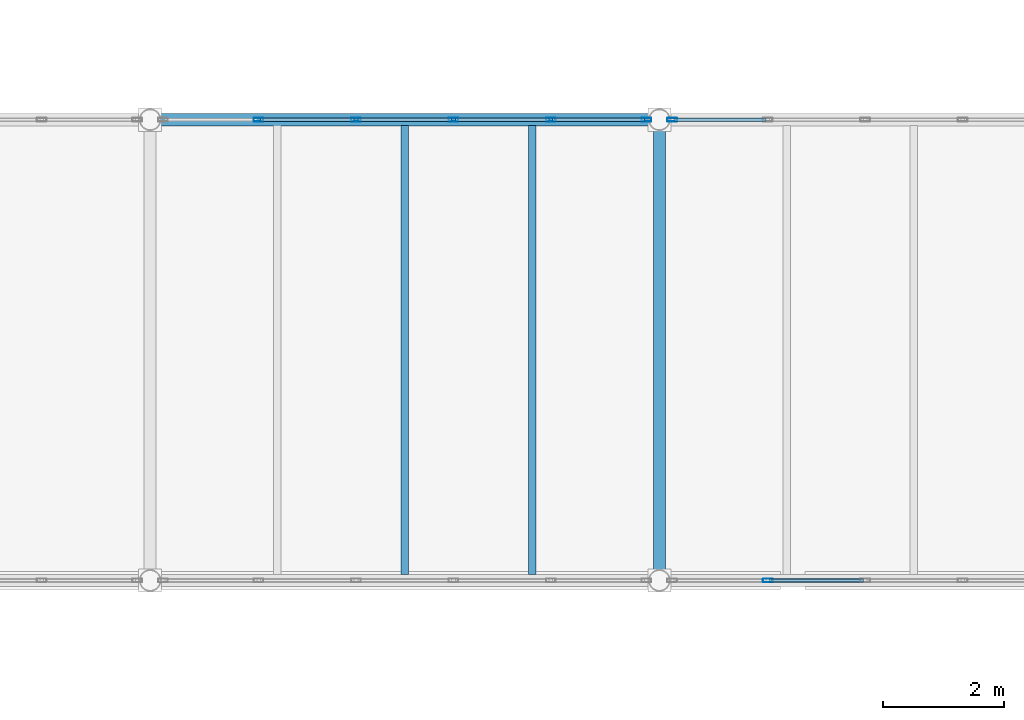
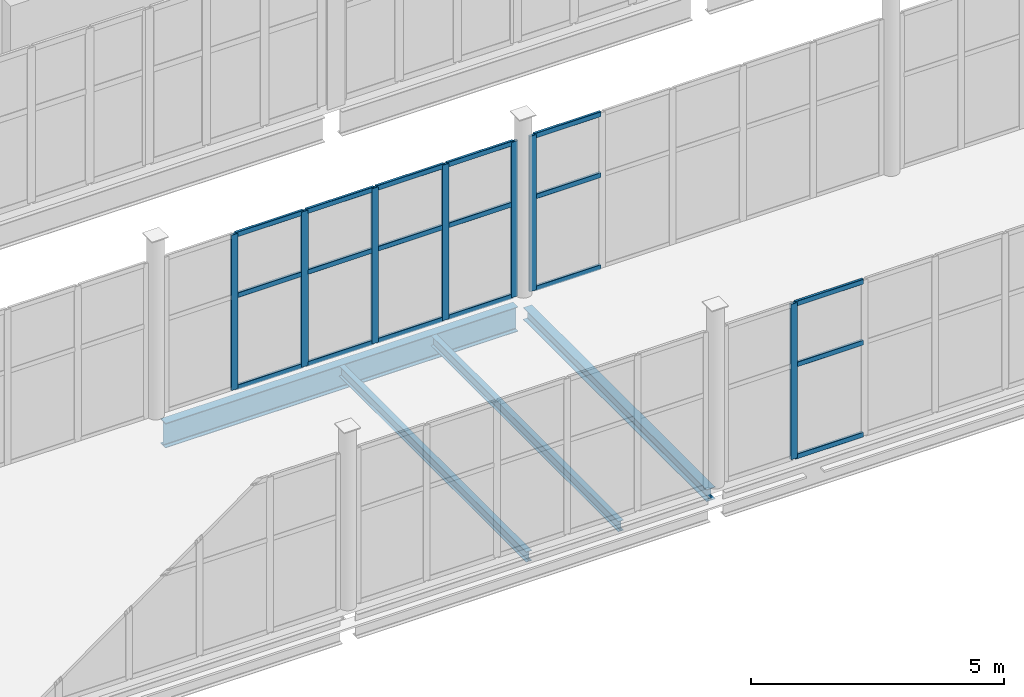
# One storey, part 49 of 172: 25 members, 4 beams, 3 elements without a shape of their own.
"""IFC4 building model written with IfcOpenShell, lengths in metres."""

from ifc_helpers import new_model, si_unit, direction, frame, origin, origin_2d, place, context, subcontext, project, spatial, hollow_rectangle, i_section, extrude, material, material_profile, profile_set, type_object, element, aggregate, save


model = new_model("IFC4")

# Units and contexts
model_context = context("Model", 3, precision=1e-05, world=origin(), true_north=direction((0.0, 1.0)))
body_context = subcontext(model_context, "Body", "Model", "MODEL_VIEW")
ifc_project = project(units=[si_unit("LENGTHUNIT", "METRE"), si_unit("AREAUNIT", "SQUARE_METRE"), si_unit("VOLUMEUNIT", "CUBIC_METRE"), si_unit("PLANEANGLEUNIT", "RADIAN"), si_unit("MASSUNIT", "GRAM", prefix="KILO")], contexts=[model_context])

# Site, building, storey
site_placement = place(None, origin())
site = spatial("IfcSite", under=ifc_project, at=site_placement, CompositionType="ELEMENT")
building_placement = place(site_placement, origin())
building = spatial("IfcBuilding", under=site, at=building_placement, Name="Shengluoqiao Park Theatre", CompositionType="ELEMENT")
storey_placement = place(building_placement, frame((0.0, 0.0, 5.39990234375)))
storey = spatial("IfcBuildingStorey", under=building, at=storey_placement, Name="L01", CompositionType="ELEMENT", Elevation=5.39990234375)

# Curtain wall, member
ifc_material_1 = material(Name="Aluminium 6063-T6", Category="aluminium")
curtain_wall_type = type_object("IfcCurtainWallType", Name="ENV-CW-BRIDGE", PredefinedType="NOTDEFINED", material=ifc_material_1)
curtain_wall_1_placement = place(storey_placement, origin())
curtain_wall_1 = element("IfcCurtainWall", 1, at=curtain_wall_1_placement, inside=storey, type_object=curtain_wall_type, Name="L01 Curtain Wall CWX-L01-0127", PredefinedType="NOTDEFINED")
ifc_material_profile_1 = material_profile(ifc_material_1, hollow_rectangle(XDim=0.06005859375, YDim=0.159912109375, WallThickness=0.00390625, InnerFilletRadius=0.00390625, OuterFilletRadius=0.008056640625, at=origin_2d()), Name="ALU MULLION 160x60x4")
ifc_profile_set_1 = profile_set([ifc_material_profile_1], Name="Aluminium 6063-T6")
member_type_1 = type_object("IfcMemberType", Name="ENV-MUL-160", PredefinedType="MULLION", material=ifc_profile_set_1)
member_1_placement = place(storey_placement, frame((79.789306640625, 53.199951171875, 0.0), z_axis=(0.0, 0.0, 1.0), x_axis=(0.0, 1.0, 0.0)))
member_1 = element("IfcMember", 2, at=member_1_placement, type_object=member_type_1, Name="CW-03 mullion 2", PredefinedType="MULLION", context=body_context, shape_type="SweptSolid", body=[
    extrude(hollow_rectangle(XDim=0.06005859375, YDim=0.159912109375, WallThickness=0.00390625, InnerFilletRadius=0.00390625, OuterFilletRadius=0.008056640625, at=origin_2d()), origin(), (0.0, 0.0, 1.0), 3.752197265625),
])

# Curtain wall, members
curtain_wall_2_placement = place(storey_placement, origin())
curtain_wall_2 = element("IfcCurtainWall", 3, at=curtain_wall_2_placement, inside=storey, type_object=curtain_wall_type, Name="L01 Curtain Wall CWX-L01-0139", PredefinedType="NOTDEFINED")
member_2_placement = place(storey_placement, frame((71.38916015625, 60.800048828125, 0.0), z_axis=(0.0, 0.0, 1.0), x_axis=(0.0, 1.0, 0.0)))
member_2 = element("IfcMember", 4, at=member_2_placement, type_object=member_type_1, Name="CW-03 mullion 2", PredefinedType="MULLION", context=body_context, shape_type="SweptSolid", body=[
    extrude(hollow_rectangle(XDim=0.06005859375, YDim=0.159912109375, WallThickness=0.00390625, InnerFilletRadius=0.00390625, OuterFilletRadius=0.008056640625, at=origin_2d()), origin(), (0.0, 0.0, 1.0), 3.752197265625),
])
member_3_placement = place(storey_placement, frame((72.996337890625, 60.800048828125, 0.0), z_axis=(0.0, 0.0, 1.0), x_axis=(0.0, 1.0, 0.0)))
member_3 = element("IfcMember", 5, at=member_3_placement, type_object=member_type_1, Name="CW-03 mullion 3", PredefinedType="MULLION", context=body_context, shape_type="SweptSolid", body=[
    extrude(hollow_rectangle(XDim=0.06005859375, YDim=0.159912109375, WallThickness=0.00390625, InnerFilletRadius=0.00390625, OuterFilletRadius=0.008056640625, at=origin_2d()), origin(), (0.0, 0.0, 1.0), 3.752197265625),
])
member_4_placement = place(storey_placement, frame((74.603515625, 60.800048828125, 0.0), z_axis=(0.0, 0.0, 1.0), x_axis=(0.0, 1.0, 0.0)))
member_4 = element("IfcMember", 6, at=member_4_placement, type_object=member_type_1, Name="CW-03 mullion 4", PredefinedType="MULLION", context=body_context, shape_type="SweptSolid", body=[
    extrude(hollow_rectangle(XDim=0.06005859375, YDim=0.159912109375, WallThickness=0.00390625, InnerFilletRadius=0.00390625, OuterFilletRadius=0.008056640625, at=origin_2d()), origin(), (0.0, 0.0, 1.0), 3.752197265625),
])
member_5_placement = place(storey_placement, frame((76.210693359375, 60.800048828125, 0.0), z_axis=(0.0, 0.0, 1.0), x_axis=(0.0, 1.0, 0.0)))
member_5 = element("IfcMember", 7, at=member_5_placement, type_object=member_type_1, Name="CW-03 mullion 5", PredefinedType="MULLION", context=body_context, shape_type="SweptSolid", body=[
    extrude(hollow_rectangle(XDim=0.06005859375, YDim=0.159912109375, WallThickness=0.00390625, InnerFilletRadius=0.00390625, OuterFilletRadius=0.008056640625, at=origin_2d()), origin(), (0.0, 0.0, 1.0), 3.752197265625),
])
member_6_placement = place(storey_placement, frame((77.7880859375, 60.800048828125, 0.0), z_axis=(0.0, 0.0, 1.0), x_axis=(0.0, 1.0, 0.0)))
member_6 = element("IfcMember", 8, at=member_6_placement, type_object=member_type_1, Name="CW-03 mullion 6", PredefinedType="MULLION", context=body_context, shape_type="SweptSolid", body=[
    extrude(hollow_rectangle(XDim=0.06005859375, YDim=0.159912109375, WallThickness=0.00390625, InnerFilletRadius=0.00390625, OuterFilletRadius=0.008056640625, at=origin_2d()), origin(), (0.0, 0.0, 1.0), 3.752197265625),
])

# Curtain wall, member
curtain_wall_3_placement = place(storey_placement, origin())
curtain_wall_3 = element("IfcCurtainWall", 9, at=curtain_wall_3_placement, inside=storey, type_object=curtain_wall_type, Name="L01 Curtain Wall CWX-L01-0140", PredefinedType="NOTDEFINED")
member_7_placement = place(storey_placement, frame((78.2119140625, 60.800048828125, 0.0), z_axis=(0.0, 0.0, 1.0), x_axis=(0.0, 1.0, 0.0)))
member_7 = element("IfcMember", 10, at=member_7_placement, type_object=member_type_1, Name="CW-03 mullion 1", PredefinedType="MULLION", context=body_context, shape_type="SweptSolid", body=[
    extrude(hollow_rectangle(XDim=0.06005859375, YDim=0.159912109375, WallThickness=0.00390625, InnerFilletRadius=0.00390625, OuterFilletRadius=0.008056640625, at=origin_2d()), origin(), (0.0, 0.0, 1.0), 3.752197265625),
])

# Member
ifc_material_profile_2 = material_profile(ifc_material_1, hollow_rectangle(XDim=0.06005859375, YDim=0.1201171875, WallThickness=0.00390625, InnerFilletRadius=0.00390625, OuterFilletRadius=0.008056640625, at=origin_2d()), Name="ALU TRANSOM 120x60x4")
ifc_profile_set_2 = profile_set([ifc_material_profile_2], Name="Aluminium 6063-T6")
member_type_2 = type_object("IfcMemberType", Name="ENV-TRN-120", PredefinedType="USERDEFINED", material=ifc_profile_set_2)
member_8_placement = place(storey_placement, frame((79.819091796875, 53.199951171875, 0.030029296875), z_axis=(1.0, 0.0, 0.0), x_axis=(0.0, 1.0, 0.0)))
member_8 = element("IfcMember", 11, at=member_8_placement, type_object=member_type_2, Name="CW-03 transom 2.1", ObjectType="TRANSOM", PredefinedType="USERDEFINED", context=body_context, shape_type="SweptSolid", body=[
    extrude(hollow_rectangle(XDim=0.06005859375, YDim=0.1201171875, WallThickness=0.00390625, InnerFilletRadius=0.00390625, OuterFilletRadius=0.008056640625, at=origin_2d()), origin(), (0.0, 0.0, 1.0), 1.54736328125),
])

member_9_placement = place(storey_placement, frame((79.819091796875, 53.199951171875, 2.2509765625), z_axis=(1.0, 0.0, 0.0), x_axis=(0.0, 1.0, 0.0)))
member_9 = element("IfcMember", 12, at=member_9_placement, type_object=member_type_2, Name="CW-03 transom 2.2", ObjectType="TRANSOM", PredefinedType="USERDEFINED", context=body_context, shape_type="SweptSolid", body=[
    extrude(hollow_rectangle(XDim=0.06005859375, YDim=0.1201171875, WallThickness=0.00390625, InnerFilletRadius=0.00390625, OuterFilletRadius=0.008056640625, at=origin_2d()), origin(), (0.0, 0.0, 1.0), 1.54736328125),
])

member_10_placement = place(storey_placement, frame((79.819091796875, 53.199951171875, 3.72216796875), z_axis=(1.0, 0.0, 0.0), x_axis=(0.0, 1.0, 0.0)))
member_10 = element("IfcMember", 13, at=member_10_placement, type_object=member_type_2, Name="CW-03 transom 2.3", ObjectType="TRANSOM", PredefinedType="USERDEFINED", context=body_context, shape_type="SweptSolid", body=[
    extrude(hollow_rectangle(XDim=0.06005859375, YDim=0.1201171875, WallThickness=0.00390625, InnerFilletRadius=0.00390625, OuterFilletRadius=0.008056640625, at=origin_2d()), origin(), (0.0, 0.0, 1.0), 1.54736328125),
])

aggregate(curtain_wall_1, [member_1, member_8, member_9, member_10])

member_11_placement = place(storey_placement, frame((71.419189453125, 60.800048828125, 0.030029296875), z_axis=(1.0, 0.0, 0.0), x_axis=(0.0, 1.0, 0.0)))
member_11 = element("IfcMember", 14, at=member_11_placement, type_object=member_type_2, Name="CW-03 transom 2.1", ObjectType="TRANSOM", PredefinedType="USERDEFINED", context=body_context, shape_type="SweptSolid", body=[
    extrude(hollow_rectangle(XDim=0.06005859375, YDim=0.1201171875, WallThickness=0.00390625, InnerFilletRadius=0.00390625, OuterFilletRadius=0.008056640625, at=origin_2d()), origin(), (0.0, 0.0, 1.0), 1.547119140625),
])

member_12_placement = place(storey_placement, frame((71.419189453125, 60.800048828125, 2.2509765625), z_axis=(1.0, 0.0, 0.0), x_axis=(0.0, 1.0, 0.0)))
member_12 = element("IfcMember", 15, at=member_12_placement, type_object=member_type_2, Name="CW-03 transom 2.2", ObjectType="TRANSOM", PredefinedType="USERDEFINED", context=body_context, shape_type="SweptSolid", body=[
    extrude(hollow_rectangle(XDim=0.06005859375, YDim=0.1201171875, WallThickness=0.00390625, InnerFilletRadius=0.00390625, OuterFilletRadius=0.008056640625, at=origin_2d()), origin(), (0.0, 0.0, 1.0), 1.547119140625),
])

member_13_placement = place(storey_placement, frame((71.419189453125, 60.800048828125, 3.72216796875), z_axis=(1.0, 0.0, 0.0), x_axis=(0.0, 1.0, 0.0)))
member_13 = element("IfcMember", 16, at=member_13_placement, type_object=member_type_2, Name="CW-03 transom 2.3", ObjectType="TRANSOM", PredefinedType="USERDEFINED", context=body_context, shape_type="SweptSolid", body=[
    extrude(hollow_rectangle(XDim=0.06005859375, YDim=0.1201171875, WallThickness=0.00390625, InnerFilletRadius=0.00390625, OuterFilletRadius=0.008056640625, at=origin_2d()), origin(), (0.0, 0.0, 1.0), 1.547119140625),
])

member_14_placement = place(storey_placement, frame((73.0263671875, 60.800048828125, 0.030029296875), z_axis=(1.0, 0.0, 0.0), x_axis=(0.0, 1.0, 0.0)))
member_14 = element("IfcMember", 17, at=member_14_placement, type_object=member_type_2, Name="CW-03 transom 3.1", ObjectType="TRANSOM", PredefinedType="USERDEFINED", context=body_context, shape_type="SweptSolid", body=[
    extrude(hollow_rectangle(XDim=0.06005859375, YDim=0.1201171875, WallThickness=0.00390625, InnerFilletRadius=0.00390625, OuterFilletRadius=0.008056640625, at=origin_2d()), origin(), (0.0, 0.0, 1.0), 1.547119140625),
])

member_15_placement = place(storey_placement, frame((73.0263671875, 60.800048828125, 2.2509765625), z_axis=(1.0, 0.0, 0.0), x_axis=(0.0, 1.0, 0.0)))
member_15 = element("IfcMember", 18, at=member_15_placement, type_object=member_type_2, Name="CW-03 transom 3.2", ObjectType="TRANSOM", PredefinedType="USERDEFINED", context=body_context, shape_type="SweptSolid", body=[
    extrude(hollow_rectangle(XDim=0.06005859375, YDim=0.1201171875, WallThickness=0.00390625, InnerFilletRadius=0.00390625, OuterFilletRadius=0.008056640625, at=origin_2d()), origin(), (0.0, 0.0, 1.0), 1.547119140625),
])

member_16_placement = place(storey_placement, frame((73.0263671875, 60.800048828125, 3.72216796875), z_axis=(1.0, 0.0, 0.0), x_axis=(0.0, 1.0, 0.0)))
member_16 = element("IfcMember", 19, at=member_16_placement, type_object=member_type_2, Name="CW-03 transom 3.3", ObjectType="TRANSOM", PredefinedType="USERDEFINED", context=body_context, shape_type="SweptSolid", body=[
    extrude(hollow_rectangle(XDim=0.06005859375, YDim=0.1201171875, WallThickness=0.00390625, InnerFilletRadius=0.00390625, OuterFilletRadius=0.008056640625, at=origin_2d()), origin(), (0.0, 0.0, 1.0), 1.547119140625),
])

member_17_placement = place(storey_placement, frame((74.633544921875, 60.800048828125, 0.030029296875), z_axis=(1.0, 0.0, 0.0), x_axis=(0.0, 1.0, 0.0)))
member_17 = element("IfcMember", 20, at=member_17_placement, type_object=member_type_2, Name="CW-03 transom 4.1", ObjectType="TRANSOM", PredefinedType="USERDEFINED", context=body_context, shape_type="SweptSolid", body=[
    extrude(hollow_rectangle(XDim=0.06005859375, YDim=0.1201171875, WallThickness=0.00390625, InnerFilletRadius=0.00390625, OuterFilletRadius=0.008056640625, at=origin_2d()), origin(), (0.0, 0.0, 1.0), 1.54736328125),
])

member_18_placement = place(storey_placement, frame((74.633544921875, 60.800048828125, 2.2509765625), z_axis=(1.0, 0.0, 0.0), x_axis=(0.0, 1.0, 0.0)))
member_18 = element("IfcMember", 21, at=member_18_placement, type_object=member_type_2, Name="CW-03 transom 4.2", ObjectType="TRANSOM", PredefinedType="USERDEFINED", context=body_context, shape_type="SweptSolid", body=[
    extrude(hollow_rectangle(XDim=0.06005859375, YDim=0.1201171875, WallThickness=0.00390625, InnerFilletRadius=0.00390625, OuterFilletRadius=0.008056640625, at=origin_2d()), origin(), (0.0, 0.0, 1.0), 1.54736328125),
])

member_19_placement = place(storey_placement, frame((74.633544921875, 60.800048828125, 3.72216796875), z_axis=(1.0, 0.0, 0.0), x_axis=(0.0, 1.0, 0.0)))
member_19 = element("IfcMember", 22, at=member_19_placement, type_object=member_type_2, Name="CW-03 transom 4.3", ObjectType="TRANSOM", PredefinedType="USERDEFINED", context=body_context, shape_type="SweptSolid", body=[
    extrude(hollow_rectangle(XDim=0.06005859375, YDim=0.1201171875, WallThickness=0.00390625, InnerFilletRadius=0.00390625, OuterFilletRadius=0.008056640625, at=origin_2d()), origin(), (0.0, 0.0, 1.0), 1.54736328125),
])

member_20_placement = place(storey_placement, frame((76.24072265625, 60.800048828125, 0.030029296875), z_axis=(1.0, 0.0, 0.0), x_axis=(0.0, 1.0, 0.0)))
member_20 = element("IfcMember", 23, at=member_20_placement, type_object=member_type_2, Name="CW-03 transom 5.1", ObjectType="TRANSOM", PredefinedType="USERDEFINED", context=body_context, shape_type="SweptSolid", body=[
    extrude(hollow_rectangle(XDim=0.06005859375, YDim=0.1201171875, WallThickness=0.00390625, InnerFilletRadius=0.00390625, OuterFilletRadius=0.008056640625, at=origin_2d()), origin(), (0.0, 0.0, 1.0), 1.517333984375),
])

member_21_placement = place(storey_placement, frame((76.24072265625, 60.800048828125, 2.2509765625), z_axis=(1.0, 0.0, 0.0), x_axis=(0.0, 1.0, 0.0)))
member_21 = element("IfcMember", 24, at=member_21_placement, type_object=member_type_2, Name="CW-03 transom 5.2", ObjectType="TRANSOM", PredefinedType="USERDEFINED", context=body_context, shape_type="SweptSolid", body=[
    extrude(hollow_rectangle(XDim=0.06005859375, YDim=0.1201171875, WallThickness=0.00390625, InnerFilletRadius=0.00390625, OuterFilletRadius=0.008056640625, at=origin_2d()), origin(), (0.0, 0.0, 1.0), 1.517333984375),
])

member_22_placement = place(storey_placement, frame((76.24072265625, 60.800048828125, 3.72216796875), z_axis=(1.0, 0.0, 0.0), x_axis=(0.0, 1.0, 0.0)))
member_22 = element("IfcMember", 25, at=member_22_placement, type_object=member_type_2, Name="CW-03 transom 5.3", ObjectType="TRANSOM", PredefinedType="USERDEFINED", context=body_context, shape_type="SweptSolid", body=[
    extrude(hollow_rectangle(XDim=0.06005859375, YDim=0.1201171875, WallThickness=0.00390625, InnerFilletRadius=0.00390625, OuterFilletRadius=0.008056640625, at=origin_2d()), origin(), (0.0, 0.0, 1.0), 1.517333984375),
])

aggregate(curtain_wall_2, [member_2, member_3, member_4, member_5, member_6, member_11, member_12, member_13, member_14, member_15, member_16, member_17, member_18, member_19, member_20, member_21, member_22])

member_23_placement = place(storey_placement, frame((78.241943359375, 60.800048828125, 0.030029296875), z_axis=(1.0, 0.0, 0.0), x_axis=(0.0, 1.0, 0.0)))
member_23 = element("IfcMember", 26, at=member_23_placement, type_object=member_type_2, Name="CW-03 transom 1.1", ObjectType="TRANSOM", PredefinedType="USERDEFINED", context=body_context, shape_type="SweptSolid", body=[
    extrude(hollow_rectangle(XDim=0.06005859375, YDim=0.1201171875, WallThickness=0.00390625, InnerFilletRadius=0.00390625, OuterFilletRadius=0.008056640625, at=origin_2d()), origin(), (0.0, 0.0, 1.0), 1.517333984375),
])

member_24_placement = place(storey_placement, frame((78.241943359375, 60.800048828125, 2.2509765625), z_axis=(1.0, 0.0, 0.0), x_axis=(0.0, 1.0, 0.0)))
member_24 = element("IfcMember", 27, at=member_24_placement, type_object=member_type_2, Name="CW-03 transom 1.2", ObjectType="TRANSOM", PredefinedType="USERDEFINED", context=body_context, shape_type="SweptSolid", body=[
    extrude(hollow_rectangle(XDim=0.06005859375, YDim=0.1201171875, WallThickness=0.00390625, InnerFilletRadius=0.00390625, OuterFilletRadius=0.008056640625, at=origin_2d()), origin(), (0.0, 0.0, 1.0), 1.517333984375),
])

member_25_placement = place(storey_placement, frame((78.241943359375, 60.800048828125, 3.72216796875), z_axis=(1.0, 0.0, 0.0), x_axis=(0.0, 1.0, 0.0)))
member_25 = element("IfcMember", 28, at=member_25_placement, type_object=member_type_2, Name="CW-03 transom 1.3", ObjectType="TRANSOM", PredefinedType="USERDEFINED", context=body_context, shape_type="SweptSolid", body=[
    extrude(hollow_rectangle(XDim=0.06005859375, YDim=0.1201171875, WallThickness=0.00390625, InnerFilletRadius=0.00390625, OuterFilletRadius=0.008056640625, at=origin_2d()), origin(), (0.0, 0.0, 1.0), 1.517333984375),
])

aggregate(curtain_wall_3, [member_7, member_23, member_24, member_25])

# Beams
ifc_material_2 = material(Name="Steel Q355", Category="steel")
ifc_material_profile_3 = material_profile(ifc_material_2, i_section(OverallWidth=0.199951171875, OverallDepth=0.2939453125, WebThickness=0.008056640625, FlangeThickness=0.011962890625, FilletRadius=0.01611328125, at=origin_2d()), Name="HM 294x200x8x12")
ifc_profile_set_3 = profile_set([ifc_material_profile_3], Name="Steel Q355")
beam_type_1 = type_object("IfcBeamType", Name="STR-BM-G-HM294", PredefinedType="BEAM", material=ifc_profile_set_3)
beam_1_placement = place(storey_placement, frame((78.0, 53.3720703125, -0.35693359375), z_axis=(0.0, 1.0, 0.0), x_axis=(-1.0, 0.0, 0.0)))
element("IfcBeam", 29, at=beam_1_placement, inside=storey, type_object=beam_type_1, Name="L01 Transverse Girder 00590", PredefinedType="BEAM", context=body_context, shape_type="SweptSolid", body=[
    extrude(i_section(OverallWidth=0.199951171875, OverallDepth=0.2939453125, WebThickness=0.008056640625, FlangeThickness=0.011962890625, FilletRadius=0.01611328125, at=origin_2d()), origin(), (0.0, 0.0, 1.0), 7.255859375),
])
ifc_material_profile_4 = material_profile(ifc_material_2, i_section(OverallWidth=0.125, OverallDepth=0.25, WebThickness=0.006103515625, FlangeThickness=0.009033203125, FilletRadius=0.010009765625, at=origin_2d()), Name="HN 250x125x6x9")
ifc_profile_set_4 = profile_set([ifc_material_profile_4], Name="Steel Q355")
beam_type_2 = type_object("IfcBeamType", Name="STR-BM-J-HN250", PredefinedType="JOIST", material=ifc_profile_set_4)
for number, where, z_axis, x_axis, name in (
    (30, (73.800048828125, 53.29443359375, -0.3349609375), (0.0, 1.0, 0.0), (-1.0, 0.0, 0.0), "L01 Composite Joist 00608"),
    (31, (75.89990234375, 53.29443359375, -0.3349609375), (0.0, 1.0, 0.0), (-1.0, 0.0, 0.0), "L01 Composite Joist 00609"),
):
    element("IfcBeam", number, at=place(storey_placement, frame(where, z_axis=z_axis, x_axis=x_axis)), inside=storey, type_object=beam_type_2, Name=name, PredefinedType="JOIST", context=body_context, shape_type="SweptSolid", body=[
        extrude(i_section(OverallWidth=0.125, OverallDepth=0.25, WebThickness=0.006103515625, FlangeThickness=0.009033203125, FilletRadius=0.010009765625, at=origin_2d()), origin(), (0.0, 0.0, 1.0), 7.4111328125),
    ])
ifc_material_profile_5 = material_profile(ifc_material_2, i_section(OverallWidth=0.198974609375, OverallDepth=0.595947265625, WebThickness=0.010009765625, FlangeThickness=0.014892578125, FilletRadius=0.02001953125, at=origin_2d()), Name="HN 596x199x10x15")
ifc_profile_set_5 = profile_set([ifc_material_profile_5], Name="Steel Q355")
beam_type_3 = type_object("IfcBeamType", Name="STR-BM-SP-HN596", PredefinedType="SPANDREL", material=ifc_profile_set_5)
beam_2_placement = place(storey_placement, frame((69.77197265625, 60.800048828125, -0.5078125), z_axis=(1.0, 0.0, 0.0), x_axis=(0.0, 1.0, 0.0)))
element("IfcBeam", 32, at=beam_2_placement, inside=storey, type_object=beam_type_3, Name="L01 Primary Girder 00577", PredefinedType="SPANDREL", context=body_context, shape_type="SweptSolid", body=[
    extrude(i_section(OverallWidth=0.198974609375, OverallDepth=0.595947265625, WebThickness=0.010009765625, FlangeThickness=0.014892578125, FilletRadius=0.02001953125, at=origin_2d()), origin(), (0.0, 0.0, 1.0), 8.055908203125),
])

save(model, "model.ifc")
